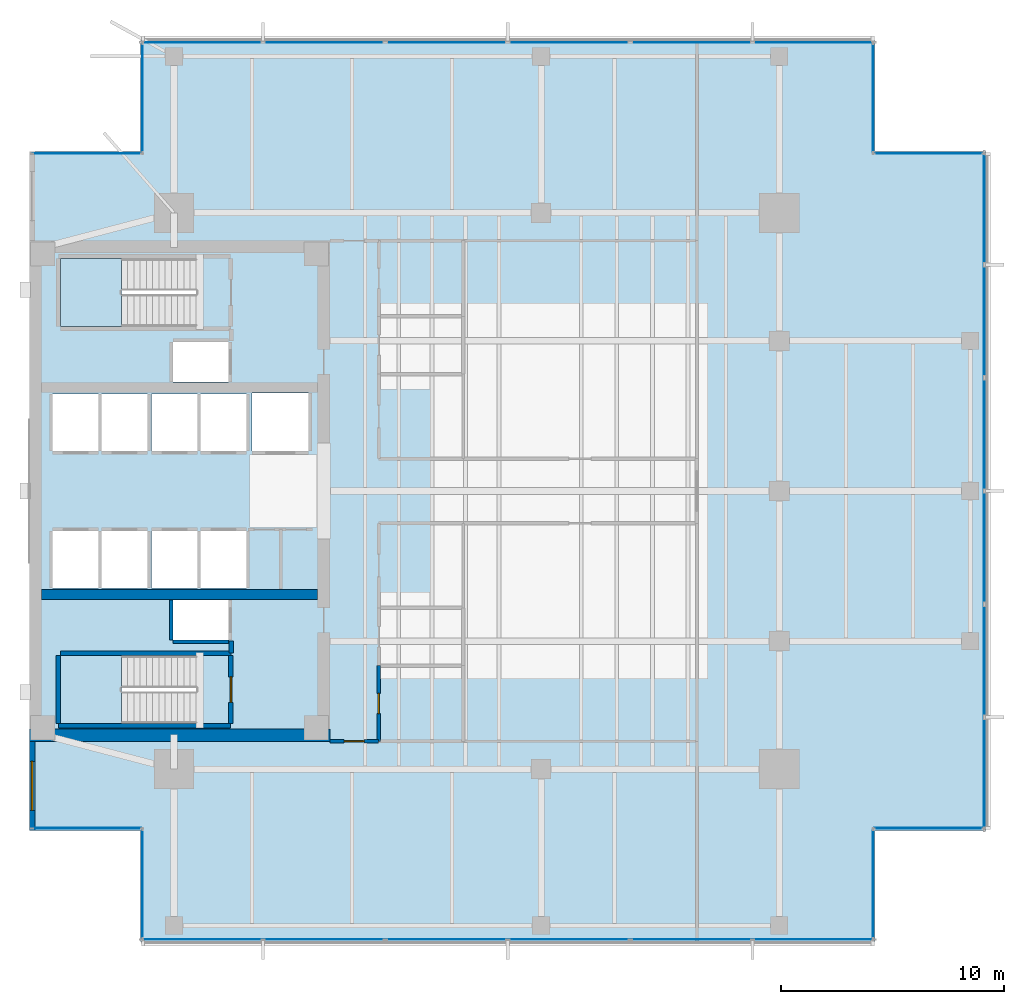
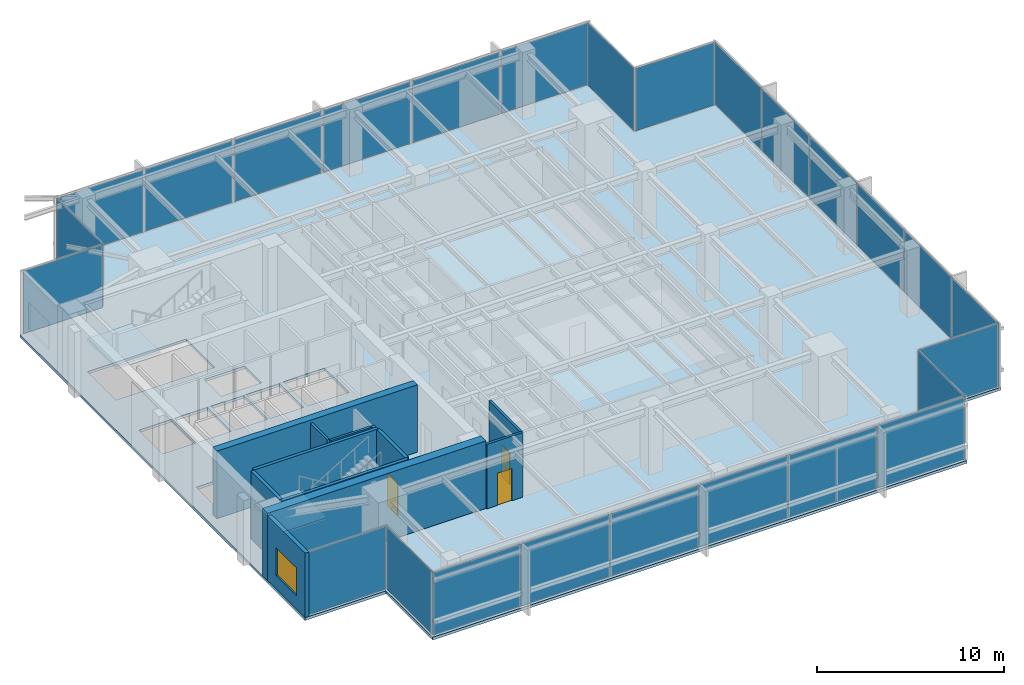
# One storey, part 7 of 14: 26 plates, 12 walls, 3 doors, 3 slabs, 1 window, 4 openings, 13 elements without a shape of their own.
"""IFC4 building model written with IfcOpenShell, lengths in metres."""

from ifc_helpers import new_model, si_unit, direction, frame, frame_2d, origin, origin_2d, place, context, subcontext, project, spatial, polyline, rectangle, outline, extrude, material, layer, layer_set, type_object, element, fill, aggregate, save


model = new_model("IFC4")

# Units and contexts
model_context = context("Model", 3, precision=1e-05, world=origin(), true_north=direction((0.0, 1.0)))
body_context = subcontext(model_context, "Body", "Model", "MODEL_VIEW")
ifc_project = project(units=[si_unit("LENGTHUNIT", "METRE"), si_unit("AREAUNIT", "SQUARE_METRE"), si_unit("VOLUMEUNIT", "CUBIC_METRE"), si_unit("PLANEANGLEUNIT", "RADIAN"), si_unit("MASSUNIT", "GRAM", prefix="KILO")], contexts=[model_context])

# Site, building, storey
site_placement = place(None, origin())
site = spatial("IfcSite", under=ifc_project, at=site_placement, CompositionType="ELEMENT")
building_placement = place(site_placement, origin())
building = spatial("IfcBuilding", under=site, at=building_placement, Name="Kinhvarn Gate Tower", CompositionType="ELEMENT")
storey_placement = place(building_placement, frame((0.0, 0.0, 183.64990234375)))
storey = spatial("IfcBuildingStorey", under=building, at=storey_placement, Name="L48", CompositionType="ELEMENT", Elevation=183.64990234375)

# Curtain wall, plates
ifc_material_1 = material(Name="Anodised aluminium AW-6063", Category="aluminium")
ifc_layer_1 = layer(ifc_material_1, 0.219970703125)
ifc_layer_set_1 = layer_set([ifc_layer_1], Name="Anodised aluminium AW-6063")
curtain_wall_type_1 = type_object("IfcCurtainWallType", Name="CW-SYS-5", PredefinedType="NOTDEFINED", material=ifc_layer_set_1)
curtain_wall_1_placement = place(storey_placement, origin())
curtain_wall_1 = element("IfcCurtainWall", 1, at=curtain_wall_1_placement, inside=storey, type_object=curtain_wall_type_1, Name="Curtain Wall CW5 (L48)", PredefinedType="NOTDEFINED")
ifc_material_2 = material(Name="Clear low-e double glazing", Category="glass")
ifc_layer_2 = layer(ifc_material_2, 0.031982421875)
ifc_layer_set_2 = layer_set([ifc_layer_2], Name="Clear low-e double glazing")
plate_type = type_object("IfcPlateType", Name="CW-PNL-VIS", PredefinedType="CURTAIN_PANEL", material=ifc_layer_set_2)
plate_1_placement = place(storey_placement, frame((12.27001953125, 5.090087890625, 0.080078125), z_axis=(0.0, 0.0, 1.0), x_axis=(1.0, 0.0, 0.0)))
plate_1 = element("IfcPlate", 2, at=plate_1_placement, type_object=plate_type, Name="CW5 panel 1.1", PredefinedType="CURTAIN_PANEL", context=body_context, shape_type="SweptSolid", body=[
    extrude(rectangle(XDim=5.3798828125, YDim=0.031982421875, at=origin_2d()), origin(), (0.0, 0.0, 1.0), 4.06005859375),
])
plate_2_placement = place(storey_placement, frame((17.75, 5.090087890625, 0.080078125), z_axis=(0.0, 0.0, 1.0), x_axis=(1.0, 0.0, 0.0)))
plate_2 = element("IfcPlate", 3, at=plate_2_placement, type_object=plate_type, Name="CW5 panel 2.1", PredefinedType="CURTAIN_PANEL", context=body_context, shape_type="SweptSolid", body=[
    extrude(rectangle(XDim=5.419921875, YDim=0.031982421875, at=origin_2d()), origin(), (0.0, 0.0, 1.0), 4.06005859375),
])
plate_3_placement = place(storey_placement, frame((23.25, 5.090087890625, 0.080078125), z_axis=(0.0, 0.0, 1.0), x_axis=(1.0, 0.0, 0.0)))
plate_3 = element("IfcPlate", 4, at=plate_3_placement, type_object=plate_type, Name="CW5 panel 3.1", PredefinedType="CURTAIN_PANEL", context=body_context, shape_type="SweptSolid", body=[
    extrude(rectangle(XDim=5.419921875, YDim=0.031982421875, at=origin_2d()), origin(), (0.0, 0.0, 1.0), 4.06005859375),
])
plate_4_placement = place(storey_placement, frame((28.75, 5.090087890625, 0.080078125), z_axis=(0.0, 0.0, 1.0), x_axis=(1.0, 0.0, 0.0)))
plate_4 = element("IfcPlate", 5, at=plate_4_placement, type_object=plate_type, Name="CW5 panel 4.1", PredefinedType="CURTAIN_PANEL", context=body_context, shape_type="SweptSolid", body=[
    extrude(rectangle(XDim=5.419921875, YDim=0.031982421875, at=origin_2d()), origin(), (0.0, 0.0, 1.0), 4.06005859375),
])
plate_5_placement = place(storey_placement, frame((34.25, 5.090087890625, 0.080078125), z_axis=(0.0, 0.0, 1.0), x_axis=(1.0, 0.0, 0.0)))
plate_5 = element("IfcPlate", 6, at=plate_5_placement, type_object=plate_type, Name="CW5 panel 5.1", PredefinedType="CURTAIN_PANEL", context=body_context, shape_type="SweptSolid", body=[
    extrude(rectangle(XDim=5.419921875, YDim=0.031982421875, at=origin_2d()), origin(), (0.0, 0.0, 1.0), 4.06005859375),
])
plate_6_placement = place(storey_placement, frame((39.72998046875, 5.090087890625, 0.080078125), z_axis=(0.0, 0.0, 1.0), x_axis=(1.0, 0.0, 0.0)))
plate_6 = element("IfcPlate", 7, at=plate_6_placement, type_object=plate_type, Name="CW5 panel 6.1", PredefinedType="CURTAIN_PANEL", context=body_context, shape_type="SweptSolid", body=[
    extrude(rectangle(XDim=5.3798828125, YDim=0.031982421875, at=origin_2d()), origin(), (0.0, 0.0, 1.0), 4.06005859375),
])
aggregate(curtain_wall_1, [plate_1, plate_2, plate_3, plate_4, plate_5, plate_6])

curtain_wall_2_placement = place(storey_placement, origin())
curtain_wall_2 = element("IfcCurtainWall", 8, at=curtain_wall_2_placement, inside=storey, type_object=curtain_wall_type_1, Name="Curtain Wall CW5 (L48)", PredefinedType="NOTDEFINED")
plate_7_placement = place(storey_placement, frame((39.72998046875, 45.409912109375, 0.080078125), z_axis=(0.0, 0.0, 1.0), x_axis=(-1.0, 0.0, 0.0)))
plate_7 = element("IfcPlate", 9, at=plate_7_placement, type_object=plate_type, Name="CW5 panel 1.1", PredefinedType="CURTAIN_PANEL", context=body_context, shape_type="SweptSolid", body=[
    extrude(rectangle(XDim=5.3798828125, YDim=0.031982421875, at=origin_2d()), origin(), (0.0, 0.0, 1.0), 4.06005859375),
])
plate_8_placement = place(storey_placement, frame((34.25, 45.409912109375, 0.080078125), z_axis=(0.0, 0.0, 1.0), x_axis=(-1.0, 0.0, 0.0)))
plate_8 = element("IfcPlate", 10, at=plate_8_placement, type_object=plate_type, Name="CW5 panel 2.1", PredefinedType="CURTAIN_PANEL", context=body_context, shape_type="SweptSolid", body=[
    extrude(rectangle(XDim=5.419921875, YDim=0.031982421875, at=origin_2d()), origin(), (0.0, 0.0, 1.0), 4.06005859375),
])
plate_9_placement = place(storey_placement, frame((28.75, 45.409912109375, 0.080078125), z_axis=(0.0, 0.0, 1.0), x_axis=(-1.0, 0.0, 0.0)))
plate_9 = element("IfcPlate", 11, at=plate_9_placement, type_object=plate_type, Name="CW5 panel 3.1", PredefinedType="CURTAIN_PANEL", context=body_context, shape_type="SweptSolid", body=[
    extrude(rectangle(XDim=5.419921875, YDim=0.031982421875, at=origin_2d()), origin(), (0.0, 0.0, 1.0), 4.06005859375),
])
plate_10_placement = place(storey_placement, frame((23.25, 45.409912109375, 0.080078125), z_axis=(0.0, 0.0, 1.0), x_axis=(-1.0, 0.0, 0.0)))
plate_10 = element("IfcPlate", 12, at=plate_10_placement, type_object=plate_type, Name="CW5 panel 4.1", PredefinedType="CURTAIN_PANEL", context=body_context, shape_type="SweptSolid", body=[
    extrude(rectangle(XDim=5.419921875, YDim=0.031982421875, at=origin_2d()), origin(), (0.0, 0.0, 1.0), 4.06005859375),
])
plate_11_placement = place(storey_placement, frame((17.75, 45.409912109375, 0.080078125), z_axis=(0.0, 0.0, 1.0), x_axis=(-1.0, 0.0, 0.0)))
plate_11 = element("IfcPlate", 13, at=plate_11_placement, type_object=plate_type, Name="CW5 panel 5.1", PredefinedType="CURTAIN_PANEL", context=body_context, shape_type="SweptSolid", body=[
    extrude(rectangle(XDim=5.419921875, YDim=0.031982421875, at=origin_2d()), origin(), (0.0, 0.0, 1.0), 4.06005859375),
])
plate_12_placement = place(storey_placement, frame((12.27001953125, 45.409912109375, 0.080078125), z_axis=(0.0, 0.0, 1.0), x_axis=(-1.0, 0.0, 0.0)))
plate_12 = element("IfcPlate", 14, at=plate_12_placement, type_object=plate_type, Name="CW5 panel 6.1", PredefinedType="CURTAIN_PANEL", context=body_context, shape_type="SweptSolid", body=[
    extrude(rectangle(XDim=5.3798828125, YDim=0.031982421875, at=origin_2d()), origin(), (0.0, 0.0, 1.0), 4.06005859375),
])
aggregate(curtain_wall_2, [plate_7, plate_8, plate_9, plate_10, plate_11, plate_12])

curtain_wall_3_placement = place(storey_placement, origin())
curtain_wall_3 = element("IfcCurtainWall", 15, at=curtain_wall_3_placement, inside=storey, type_object=curtain_wall_type_1, Name="Curtain Wall CW5 (L48)", PredefinedType="NOTDEFINED")
plate_13_placement = place(storey_placement, frame((47.409912109375, 12.561767578125, 0.080078125), z_axis=(0.0, 0.0, 1.0), x_axis=(0.0, 1.0, 0.0)))
plate_13 = element("IfcPlate", 16, at=plate_13_placement, type_object=plate_type, Name="CW5 panel 1.1", PredefinedType="CURTAIN_PANEL", context=body_context, shape_type="SweptSolid", body=[
    extrude(rectangle(XDim=4.96337890625, YDim=0.031982421875, at=origin_2d()), origin(), (0.0, 0.0, 1.0), 4.06005859375),
])
plate_14_placement = place(storey_placement, frame((47.409912109375, 17.625, 0.080078125), z_axis=(0.0, 0.0, 1.0), x_axis=(0.0, 1.0, 0.0)))
plate_14 = element("IfcPlate", 17, at=plate_14_placement, type_object=plate_type, Name="CW5 panel 2.1", PredefinedType="CURTAIN_PANEL", context=body_context, shape_type="SweptSolid", body=[
    extrude(rectangle(XDim=5.00341796875, YDim=0.031982421875, at=origin_2d()), origin(), (0.0, 0.0, 1.0), 4.06005859375),
])
plate_15_placement = place(storey_placement, frame((47.409912109375, 22.708251953125, 0.080078125), z_axis=(0.0, 0.0, 1.0), x_axis=(0.0, 1.0, 0.0)))
plate_15 = element("IfcPlate", 18, at=plate_15_placement, type_object=plate_type, Name="CW5 panel 3.1", PredefinedType="CURTAIN_PANEL", context=body_context, shape_type="SweptSolid", body=[
    extrude(rectangle(XDim=5.00341796875, YDim=0.031982421875, at=origin_2d()), origin(), (0.0, 0.0, 1.0), 4.06005859375),
])
plate_16_placement = place(storey_placement, frame((47.409912109375, 27.791748046875, 0.080078125), z_axis=(0.0, 0.0, 1.0), x_axis=(0.0, 1.0, 0.0)))
plate_16 = element("IfcPlate", 19, at=plate_16_placement, type_object=plate_type, Name="CW5 panel 4.1", PredefinedType="CURTAIN_PANEL", context=body_context, shape_type="SweptSolid", body=[
    extrude(rectangle(XDim=5.00341796875, YDim=0.031982421875, at=origin_2d()), origin(), (0.0, 0.0, 1.0), 4.06005859375),
])
plate_17_placement = place(storey_placement, frame((47.409912109375, 32.875, 0.080078125), z_axis=(0.0, 0.0, 1.0), x_axis=(0.0, 1.0, 0.0)))
plate_17 = element("IfcPlate", 20, at=plate_17_placement, type_object=plate_type, Name="CW5 panel 5.1", PredefinedType="CURTAIN_PANEL", context=body_context, shape_type="SweptSolid", body=[
    extrude(rectangle(XDim=5.00341796875, YDim=0.031982421875, at=origin_2d()), origin(), (0.0, 0.0, 1.0), 4.06005859375),
])
plate_18_placement = place(storey_placement, frame((47.409912109375, 37.938232421875, 0.080078125), z_axis=(0.0, 0.0, 1.0), x_axis=(0.0, 1.0, 0.0)))
plate_18 = element("IfcPlate", 21, at=plate_18_placement, type_object=plate_type, Name="CW5 panel 6.1", PredefinedType="CURTAIN_PANEL", context=body_context, shape_type="SweptSolid", body=[
    extrude(rectangle(XDim=4.96337890625, YDim=0.031982421875, at=origin_2d()), origin(), (0.0, 0.0, 1.0), 4.06005859375),
])
aggregate(curtain_wall_3, [plate_13, plate_14, plate_15, plate_16, plate_17, plate_18])

# Curtain wall, plate
ifc_layer_3 = layer(ifc_material_1, 0.179931640625)
ifc_layer_set_3 = layer_set([ifc_layer_3], Name="Anodised aluminium AW-6063")
curtain_wall_type_2 = type_object("IfcCurtainWallType", Name="CW-SYS-4", PredefinedType="NOTDEFINED", material=ifc_layer_set_3)
curtain_wall_4_placement = place(storey_placement, origin())
curtain_wall_4 = element("IfcCurtainWall", 22, at=curtain_wall_4_placement, inside=storey, type_object=curtain_wall_type_2, Name="Curtain Wall CW4 (L48)", PredefinedType="NOTDEFINED")
plate_19_placement = place(storey_placement, frame((7.090087890625, 10.090087890625, 0.06494140625), z_axis=(0.0, 0.0, 1.0), x_axis=(1.0, 0.0, 0.0)))
plate_19 = element("IfcPlate", 23, at=plate_19_placement, type_object=plate_type, Name="CW4 panel 1.1", PredefinedType="CURTAIN_PANEL", context=body_context, shape_type="SweptSolid", body=[
    extrude(rectangle(XDim=4.8701171875, YDim=0.031982421875, at=origin_2d()), origin(), (0.0, 0.0, 1.0), 4.090087890625),
])
aggregate(curtain_wall_4, [plate_19])

curtain_wall_5_placement = place(storey_placement, origin())
curtain_wall_5 = element("IfcCurtainWall", 24, at=curtain_wall_5_placement, inside=storey, type_object=curtain_wall_type_2, Name="Curtain Wall CW4 (L48)", PredefinedType="NOTDEFINED")
plate_20_placement = place(storey_placement, frame((9.590087890625, 7.590087890625, 0.06494140625), z_axis=(0.0, 0.0, 1.0), x_axis=(0.0, -1.0, 0.0)))
plate_20 = element("IfcPlate", 25, at=plate_20_placement, type_object=plate_type, Name="CW4 panel 1.1", PredefinedType="CURTAIN_PANEL", context=body_context, shape_type="SweptSolid", body=[
    extrude(rectangle(XDim=4.8701171875, YDim=0.031982421875, at=origin_2d()), origin(), (0.0, 0.0, 1.0), 4.090087890625),
])
aggregate(curtain_wall_5, [plate_20])

curtain_wall_6_placement = place(storey_placement, origin())
curtain_wall_6 = element("IfcCurtainWall", 26, at=curtain_wall_6_placement, inside=storey, type_object=curtain_wall_type_2, Name="Curtain Wall CW4 (L48)", PredefinedType="NOTDEFINED")
plate_21_placement = place(storey_placement, frame((42.409912109375, 7.590087890625, 0.06494140625), z_axis=(0.0, 0.0, 1.0), x_axis=(0.0, 1.0, 0.0)))
plate_21 = element("IfcPlate", 27, at=plate_21_placement, type_object=plate_type, Name="CW4 panel 1.1", PredefinedType="CURTAIN_PANEL", context=body_context, shape_type="SweptSolid", body=[
    extrude(rectangle(XDim=4.8701171875, YDim=0.031982421875, at=origin_2d()), origin(), (0.0, 0.0, 1.0), 4.090087890625),
])
aggregate(curtain_wall_6, [plate_21])

curtain_wall_7_placement = place(storey_placement, origin())
curtain_wall_7 = element("IfcCurtainWall", 28, at=curtain_wall_7_placement, inside=storey, type_object=curtain_wall_type_2, Name="Curtain Wall CW4 (L48)", PredefinedType="NOTDEFINED")
plate_22_placement = place(storey_placement, frame((44.909912109375, 10.090087890625, 0.06494140625), z_axis=(0.0, 0.0, 1.0), x_axis=(1.0, 0.0, 0.0)))
plate_22 = element("IfcPlate", 29, at=plate_22_placement, type_object=plate_type, Name="CW4 panel 1.1", PredefinedType="CURTAIN_PANEL", context=body_context, shape_type="SweptSolid", body=[
    extrude(rectangle(XDim=4.8701171875, YDim=0.031982421875, at=origin_2d()), origin(), (0.0, 0.0, 1.0), 4.090087890625),
])
aggregate(curtain_wall_7, [plate_22])

curtain_wall_8_placement = place(storey_placement, origin())
curtain_wall_8 = element("IfcCurtainWall", 30, at=curtain_wall_8_placement, inside=storey, type_object=curtain_wall_type_2, Name="Curtain Wall CW4 (L48)", PredefinedType="NOTDEFINED")
plate_23_placement = place(storey_placement, frame((44.909912109375, 40.409912109375, 0.06494140625), z_axis=(0.0, 0.0, 1.0), x_axis=(-1.0, 0.0, 0.0)))
plate_23 = element("IfcPlate", 31, at=plate_23_placement, type_object=plate_type, Name="CW4 panel 1.1", PredefinedType="CURTAIN_PANEL", context=body_context, shape_type="SweptSolid", body=[
    extrude(rectangle(XDim=4.8701171875, YDim=0.031982421875, at=origin_2d()), origin(), (0.0, 0.0, 1.0), 4.090087890625),
])
aggregate(curtain_wall_8, [plate_23])

curtain_wall_9_placement = place(storey_placement, origin())
curtain_wall_9 = element("IfcCurtainWall", 32, at=curtain_wall_9_placement, inside=storey, type_object=curtain_wall_type_2, Name="Curtain Wall CW4 (L48)", PredefinedType="NOTDEFINED")
plate_24_placement = place(storey_placement, frame((42.409912109375, 42.909912109375, 0.06494140625), z_axis=(0.0, 0.0, 1.0), x_axis=(0.0, 1.0, 0.0)))
plate_24 = element("IfcPlate", 33, at=plate_24_placement, type_object=plate_type, Name="CW4 panel 1.1", PredefinedType="CURTAIN_PANEL", context=body_context, shape_type="SweptSolid", body=[
    extrude(rectangle(XDim=4.8701171875, YDim=0.031982421875, at=origin_2d()), origin(), (0.0, 0.0, 1.0), 4.090087890625),
])
aggregate(curtain_wall_9, [plate_24])

curtain_wall_10_placement = place(storey_placement, origin())
curtain_wall_10 = element("IfcCurtainWall", 34, at=curtain_wall_10_placement, inside=storey, type_object=curtain_wall_type_2, Name="Curtain Wall CW4 (L48)", PredefinedType="NOTDEFINED")
plate_25_placement = place(storey_placement, frame((9.590087890625, 42.909912109375, 0.06494140625), z_axis=(0.0, 0.0, 1.0), x_axis=(0.0, -1.0, 0.0)))
plate_25 = element("IfcPlate", 35, at=plate_25_placement, type_object=plate_type, Name="CW4 panel 1.1", PredefinedType="CURTAIN_PANEL", context=body_context, shape_type="SweptSolid", body=[
    extrude(rectangle(XDim=4.8701171875, YDim=0.031982421875, at=origin_2d()), origin(), (0.0, 0.0, 1.0), 4.090087890625),
])
aggregate(curtain_wall_10, [plate_25])

curtain_wall_11_placement = place(storey_placement, origin())
curtain_wall_11 = element("IfcCurtainWall", 36, at=curtain_wall_11_placement, inside=storey, type_object=curtain_wall_type_2, Name="Curtain Wall CW4 (L48)", PredefinedType="NOTDEFINED")
plate_26_placement = place(storey_placement, frame((7.090087890625, 40.409912109375, 0.06494140625), z_axis=(0.0, 0.0, 1.0), x_axis=(-1.0, 0.0, 0.0)))
plate_26 = element("IfcPlate", 37, at=plate_26_placement, type_object=plate_type, Name="CW4 panel 1.1", PredefinedType="CURTAIN_PANEL", context=body_context, shape_type="SweptSolid", body=[
    extrude(rectangle(XDim=4.8701171875, YDim=0.031982421875, at=origin_2d()), origin(), (0.0, 0.0, 1.0), 4.090087890625),
])
aggregate(curtain_wall_11, [plate_26])

# Slab
ifc_material_3 = material(Name="Concrete C40/50", Category="concrete")
ifc_layer_4 = layer(ifc_material_3, 0.179931640625)
ifc_layer_set_4 = layer_set([ifc_layer_4], Name="Concrete C40/50")
slab_type_1 = type_object("IfcSlabType", Name="SLB-FLR-180", PredefinedType="FLOOR", material=ifc_layer_set_4)
slab_1_placement = place(storey_placement, frame((0.0, 0.0, -0.179931640625)))
element("IfcSlab", 38, at=slab_1_placement, inside=storey, type_object=slab_type_1, Name="Suspended Floor Slab L48", PredefinedType="FLOOR", context=body_context, shape_type="SweptSolid", body=[
    extrude(outline(polyline([(9.5, 5.0), (42.5, 5.0), (42.5, 10.0), (47.5, 10.0), (47.5, 40.5), (42.5, 40.5), (42.5, 45.5), (9.5, 45.5), (9.5, 40.5), (4.5, 40.5), (4.5, 10.0), (9.5, 10.0), (9.5, 5.0)]), holes=[polyline([(5.89990234375, 14.800048828125), (12.0, 14.800048828125), (12.0, 17.85009765625), (5.89990234375, 17.85009765625), (5.89990234375, 14.800048828125)]), polyline([(5.89990234375, 32.64990234375), (12.0, 32.64990234375), (12.0, 35.699951171875), (5.89990234375, 35.699951171875), (5.89990234375, 32.64990234375)]), polyline([(5.550048828125, 20.89990234375), (7.60009765625, 20.89990234375), (7.60009765625, 23.449951171875), (5.550048828125, 23.449951171875), (5.550048828125, 20.89990234375)]), polyline([(7.75, 20.89990234375), (9.800048828125, 20.89990234375), (9.800048828125, 23.449951171875), (7.75, 23.449951171875), (7.75, 20.89990234375)]), polyline([(5.550048828125, 27.050048828125), (7.60009765625, 27.050048828125), (7.60009765625, 29.60009765625), (5.550048828125, 29.60009765625), (5.550048828125, 27.050048828125)]), polyline([(7.75, 27.050048828125), (9.800048828125, 27.050048828125), (9.800048828125, 29.60009765625), (7.75, 29.60009765625), (7.75, 27.050048828125)]), polyline([(10.0, 20.89990234375), (12.050048828125, 20.89990234375), (12.050048828125, 23.449951171875), (10.0, 23.449951171875), (10.0, 20.89990234375)]), polyline([(12.199951171875, 20.89990234375), (14.25, 20.89990234375), (14.25, 23.449951171875), (12.199951171875, 23.449951171875), (12.199951171875, 20.89990234375)]), polyline([(10.0, 27.050048828125), (12.050048828125, 27.050048828125), (12.050048828125, 29.60009765625), (10.0, 29.60009765625), (10.0, 27.050048828125)]), polyline([(12.199951171875, 27.050048828125), (14.25, 27.050048828125), (14.25, 29.60009765625), (12.199951171875, 29.60009765625), (12.199951171875, 27.050048828125)]), polyline([(14.5, 27.050048828125), (17.050048828125, 27.050048828125), (17.050048828125, 29.64990234375), (14.5, 29.64990234375), (14.5, 27.050048828125)]), polyline([(10.949951171875, 18.550048828125), (13.449951171875, 18.550048828125), (13.449951171875, 20.35009765625), (10.949951171875, 20.35009765625), (10.949951171875, 18.550048828125)]), polyline([(10.949951171875, 30.14990234375), (13.449951171875, 30.14990234375), (13.449951171875, 31.949951171875), (10.949951171875, 31.949951171875), (10.949951171875, 30.14990234375)])]), origin(), (0.0, 0.0, 1.0), 0.179931640625),
])

# Stair, slab
stair_type = type_object("IfcStairType", Name="STR-DLG-169", PredefinedType="HALF_TURN_STAIR", material=ifc_material_3)
stair_1_placement = place(storey_placement, origin())
stair_1 = element("IfcStair", 39, at=stair_1_placement, inside=storey, type_object=stair_type, Name="L48 Core Smokeproof Exit Stair ST1", PredefinedType="HALF_TURN_STAIR")
ifc_layer_5 = layer(ifc_material_3, 0.199951171875)
ifc_layer_set_5 = layer_set([ifc_layer_5], Name="Concrete C40/50")
slab_type_2 = type_object("IfcSlabType", Name="SLB-ST-LND", PredefinedType="LANDING", material=ifc_layer_set_5)
slab_2_placement = place(storey_placement, frame((0.0, 0.0, 2.0)))
slab_2 = element("IfcSlab", 40, at=slab_2_placement, type_object=slab_type_2, Name="ST1 landing 1", PredefinedType="LANDING", context=body_context, shape_type="SweptSolid", body=[
    extrude(outline(polyline([(8.639892578125, 17.85009765625), (5.89990234375, 17.85009765625), (5.89990234375, 14.800048828125), (8.639892578125, 14.800048828125), (8.639892578125, 17.85009765625)])), origin(), (0.0, 0.0, 1.0), 0.2001953125),
])
aggregate(stair_1, [slab_2])

stair_2_placement = place(storey_placement, origin())
stair_2 = element("IfcStair", 41, at=stair_2_placement, inside=storey, type_object=stair_type, Name="L48 Core Smokeproof Exit Stair ST2", PredefinedType="HALF_TURN_STAIR")
slab_3_placement = place(storey_placement, frame((0.0, 0.0, 2.0)))
slab_3 = element("IfcSlab", 42, at=slab_3_placement, type_object=slab_type_2, Name="ST2 landing 1", PredefinedType="LANDING", context=body_context, shape_type="SweptSolid", body=[
    extrude(outline(polyline([(8.639892578125, 35.699951171875), (5.89990234375, 35.699951171875), (5.89990234375, 32.64990234375), (8.639892578125, 32.64990234375), (8.639892578125, 35.699951171875)])), origin(), (0.0, 0.0, 1.0), 0.2001953125),
])
aggregate(stair_2, [slab_3])

# Walls
ifc_material_4 = material(Name="Concrete C50/60", Category="concrete")
ifc_layer_6 = layer(ifc_material_4, 0.449951171875)
ifc_layer_set_6 = layer_set([ifc_layer_6], Name="Concrete C50/60")
wall_type_1 = type_object("IfcWallType", Name="WL-CORE-450", PredefinedType="SHEAR", material=ifc_layer_set_6)
wall_1_placement = place(storey_placement, frame((5.050048828125, 20.60009765625, 0.0), z_axis=(0.0, 0.0, 1.0), x_axis=(1.0, 0.0, 0.0)))
element("IfcWall", 43, at=wall_1_placement, inside=storey, type_object=wall_type_1, Name="Core South Spine Shear Wall L48 450 mm", PredefinedType="SHEAR", context=body_context, shape_type="SweptSolid", body=[
    extrude(rectangle(XDim=12.39990234375, YDim=0.449951171875, at=frame_2d((6.199951171875, 0.0))), origin(), (0.0, 0.0, 1.0), 4.400146484375),
])
ifc_material_5 = material(Name="Concrete C60/75", Category="concrete")
ifc_layer_7 = layer(ifc_material_5, 0.550048828125)
ifc_layer_set_7 = layer_set([ifc_layer_7], Name="Concrete C60/75")
wall_type_2 = type_object("IfcWallType", Name="WL-CORE-550", PredefinedType="SHEAR", material=ifc_layer_set_7)
wall_2_placement = place(storey_placement, frame((4.5, 14.27490234375, 0.0), z_axis=(0.0, 0.0, 1.0), x_axis=(1.0, 0.0, 0.0)))
element("IfcWall", 44, at=wall_2_placement, inside=storey, type_object=wall_type_2, Name="Core South Shear Wall L48 550 mm", PredefinedType="SHEAR", context=body_context, shape_type="SweptSolid", body=[
    extrude(rectangle(XDim=13.5, YDim=0.550048828125, at=frame_2d((6.75, 0.0))), origin(), (0.0, 0.0, 1.0), 4.400146484375),
])

# Wall, opening, window
ifc_material_6 = material(Name="Fired architectural terracotta", Category="masonry")
ifc_layer_8 = layer(ifc_material_6, 0.25)
ifc_layer_set_8 = layer_set([ifc_layer_8], Name="Fired architectural terracotta")
wall_type_3 = type_object("IfcWallType", Name="WL-EXT-250", PredefinedType="SOLIDWALL", material=ifc_layer_set_8)
wall_3_placement = place(storey_placement, frame((4.625, 14.0, 0.0), z_axis=(0.0, 0.0, 1.0), x_axis=(0.0, -1.0, 0.0)))
wall_3 = element("IfcWall", 45, at=wall_3_placement, inside=storey, type_object=wall_type_3, Name="Exterior Solidwall Wall EW-250 (L48 West-South)", PredefinedType="SOLIDWALL", context=body_context, shape_type="SweptSolid", body=[
    extrude(rectangle(XDim=4.0, YDim=0.25, at=frame_2d((2.0, 0.0))), origin(), (0.0, 0.0, 1.0), 4.22021484375),
])
opening_1_placement = place(wall_3_placement, frame((0.89990234375, 0.0, 0.89990234375)))
opening_1 = element("IfcOpeningElement", 46, at=opening_1_placement, cuts=wall_3, Name="Opening WN-01", PredefinedType="OPENING", context=body_context, shape_type="SweptSolid", body=[
    extrude(rectangle(XDim=2.199951171875, YDim=1.800048828125, at=frame_2d((1.10009765625, 0.89990234375))), frame((0.0, 0.135009765625, 0.0), z_axis=(0.0, -1.0, 0.0), x_axis=(1.0, 0.0, 0.0)), (0.0, 0.0, 1.0), 0.27001953125),
])
window_type = type_object("IfcWindowType", Name="WIN-RIB-2200", PartitioningType="SINGLE_PANEL", PredefinedType="WINDOW", material=ifc_material_2)
window_placement = place(opening_1_placement, origin())
window = element("IfcWindow", 47, at=window_placement, inside=storey, type_object=window_type, Name="West Flank Double-Glazed Ribbon Window 2200x1800 mm (L48)", OverallHeight=1.800048828125, OverallWidth=2.199951171875, PartitioningType="SINGLE_PANEL", PredefinedType="WINDOW", context=body_context, shape_type="SweptSolid", body=[
    extrude(rectangle(XDim=2.199951171875, YDim=1.800048828125, at=frame_2d((1.10009765625, 0.89990234375))), frame((0.0, 0.030029296875, 0.0), z_axis=(0.0, -1.0, 0.0), x_axis=(1.0, 0.0, 0.0)), (0.0, 0.0, 1.0), 0.06005859375),
])
fill(opening_1, window)

# Wall, opening, door
ifc_material_7 = material(Name="Gypsum acoustic partition board")
ifc_layer_9 = layer(ifc_material_7, 0.14990234375)
ifc_layer_set_9 = layer_set([ifc_layer_9], Name="Gypsum acoustic partition board")
wall_type_4 = type_object("IfcWallType", Name="WL-PLM-150F", PredefinedType="PLUMBINGWALL", material=ifc_layer_set_9)
wall_4_placement = place(storey_placement, frame((20.199951171875, 14.0, 0.0), z_axis=(0.0, 0.0, 1.0), x_axis=(0.0, 1.0, 0.0)))
wall_4 = element("IfcWall", 48, at=wall_4_placement, inside=storey, type_object=wall_type_4, Name="Interior Partition PLW-150F (L48)", PredefinedType="PLUMBINGWALL", context=body_context, shape_type="SweptSolid", body=[
    extrude(rectangle(XDim=3.39990234375, YDim=0.14990234375, at=frame_2d((1.699951171875, 0.0))), origin(), (0.0, 0.0, 1.0), 4.22021484375),
])
opening_2_placement = place(wall_4_placement, frame((1.25, 0.0, 0.0)))
opening_2 = element("IfcOpeningElement", 49, at=opening_2_placement, cuts=wall_4, Name="Opening FD-04", PredefinedType="OPENING", context=body_context, shape_type="SweptSolid", body=[
    extrude(rectangle(XDim=0.89990234375, YDim=2.10009765625, at=frame_2d((0.449951171875, 1.050048828125))), frame((0.0, 0.0849609375, 0.0), z_axis=(0.0, -1.0, 0.0), x_axis=(1.0, 0.0, 0.0)), (0.0, 0.0, 1.0), 0.169921875),
])
door_type_1 = type_object("IfcDoorType", Name="DR-FD-900", OperationType="NOTDEFINED", PredefinedType="DOOR", material=ifc_material_1)
door_1_placement = place(opening_2_placement, origin())
door_1 = element("IfcDoor", 50, at=door_1_placement, inside=storey, type_object=door_type_1, Name="Rated Riser & Service Closet Fire Door 900x2100 mm (L48)", OperationType="SINGLE_SWING_LEFT", OverallHeight=2.10009765625, OverallWidth=0.89990234375, PredefinedType="DOOR", context=body_context, shape_type="SweptSolid", body=[
    extrude(rectangle(XDim=0.89990234375, YDim=2.10009765625, at=frame_2d((0.449951171875, 1.050048828125))), frame((0.0, 0.02490234375, 0.0), z_axis=(0.0, -1.0, 0.0), x_axis=(1.0, 0.0, 0.0)), (0.0, 0.0, 1.0), 0.050048828125),
])
fill(opening_2, door_1)

ifc_layer_10 = layer(ifc_material_7, 0.14990234375)
ifc_layer_set_10 = layer_set([ifc_layer_10], Name="Gypsum acoustic partition board")
wall_type_5 = type_object("IfcWallType", Name="WL-PRT-150F", PredefinedType="PARTITIONING", material=ifc_layer_set_10)
wall_5_placement = place(storey_placement, frame((18.0, 14.0, 0.0), z_axis=(0.0, 0.0, 1.0), x_axis=(1.0, 0.0, 0.0)))
wall_5 = element("IfcWall", 51, at=wall_5_placement, inside=storey, type_object=wall_type_5, Name="Interior Partition PW-150F (L48)", PredefinedType="PARTITIONING", context=body_context, shape_type="SweptSolid", body=[
    extrude(rectangle(XDim=2.199951171875, YDim=0.14990234375, at=frame_2d((1.10009765625, 0.0))), origin(), (0.0, 0.0, 1.0), 4.22021484375),
])
opening_3_placement = place(wall_5_placement, frame((0.64990234375, 0.0, 0.0)))
opening_3 = element("IfcOpeningElement", 52, at=opening_3_placement, cuts=wall_5, Name="Opening ID-03", PredefinedType="OPENING", context=body_context, shape_type="SweptSolid", body=[
    extrude(rectangle(XDim=0.89990234375, YDim=2.10009765625, at=frame_2d((0.449951171875, 1.050048828125))), frame((0.0, 0.0849609375, 0.0), z_axis=(0.0, -1.0, 0.0), x_axis=(1.0, 0.0, 0.0)), (0.0, 0.0, 1.0), 0.169921875),
])
door_type_2 = type_object("IfcDoorType", Name="DR-INT-900", OperationType="NOTDEFINED", PredefinedType="DOOR", material=ifc_material_1)
door_2_placement = place(opening_3_placement, origin())
door_2 = element("IfcDoor", 53, at=door_2_placement, inside=storey, type_object=door_type_2, Name="Cellular Office & Restroom Door 900x2100 mm (L48)", OperationType="SINGLE_SWING_LEFT", OverallHeight=2.10009765625, OverallWidth=0.89990234375, PredefinedType="DOOR", context=body_context, shape_type="SweptSolid", body=[
    extrude(rectangle(XDim=0.89990234375, YDim=2.10009765625, at=frame_2d((0.449951171875, 1.050048828125))), frame((0.0, 0.02490234375, 0.0), z_axis=(0.0, -1.0, 0.0), x_axis=(1.0, 0.0, 0.0)), (0.0, 0.0, 1.0), 0.050048828125),
])
fill(opening_3, door_2)

# Walls
ifc_layer_11 = layer(ifc_material_7, 0.199951171875)
ifc_layer_set_11 = layer_set([ifc_layer_11], Name="Gypsum acoustic partition board")
wall_type_6 = type_object("IfcWallType", Name="WL-PRT-200", PredefinedType="PARTITIONING", material=ifc_layer_set_11)
wall_6_placement = place(storey_placement, frame((13.580078125, 17.9599609375, 0.0), z_axis=(0.0, 0.0, 1.0), x_axis=(0.0, 1.0, 0.0)))
element("IfcWall", 54, at=wall_6_placement, inside=storey, type_object=wall_type_6, Name="Interior Partition PW-200 (L48)", PredefinedType="PARTITIONING", context=body_context, shape_type="SweptSolid", body=[
    extrude(rectangle(XDim=0.5400390625, YDim=0.199951171875, at=frame_2d((0.27001953125, 0.0))), origin(), (0.0, 0.0, 1.0), 4.22021484375),
])
ifc_layer_12 = layer(ifc_material_7, 0.14990234375)
ifc_layer_set_12 = layer_set([ifc_layer_12], Name="Gypsum acoustic partition board")
wall_type_7 = type_object("IfcWallType", Name="WL-SHF-150", PredefinedType="PARTITIONING", material=ifc_layer_set_12)
wall_7_placement = place(storey_placement, frame((10.949951171875, 18.47509765625, 0.0), z_axis=(0.0, 0.0, 1.0), x_axis=(1.0, 0.0, 0.0)))
element("IfcWall", 55, at=wall_7_placement, inside=storey, type_object=wall_type_7, Name="Elevator FF1 Hoistway Wall S (L48)", PredefinedType="PARTITIONING", context=body_context, shape_type="SweptSolid", body=[
    extrude(rectangle(XDim=2.5, YDim=0.14990234375, at=frame_2d((1.25, 0.0))), origin(), (0.0, 0.0, 1.0), 4.22021484375),
])
wall_8_placement = place(storey_placement, frame((10.875, 18.550048828125, 0.0), z_axis=(0.0, 0.0, 1.0), x_axis=(0.0, 1.0, 0.0)))
element("IfcWall", 56, at=wall_8_placement, inside=storey, type_object=wall_type_7, Name="Elevator FF1 Hoistway Wall W (L48)", PredefinedType="PARTITIONING", context=body_context, shape_type="SweptSolid", body=[
    extrude(rectangle(XDim=1.800048828125, YDim=0.14990234375, at=frame_2d((0.89990234375, 0.0))), origin(), (0.0, 0.0, 1.0), 4.22021484375),
])
ifc_layer_13 = layer(ifc_material_3, 0.199951171875)
ifc_layer_set_13 = layer_set([ifc_layer_13], Name="Concrete C40/50")
wall_type_8 = type_object("IfcWallType", Name="WL-SHF-200", PredefinedType="SOLIDWALL", material=ifc_layer_set_13)
wall_9_placement = place(storey_placement, frame((5.800048828125, 14.699951171875, 0.0), z_axis=(0.0, 0.0, 1.0), x_axis=(1.0, 0.0, 0.0)))
element("IfcWall", 57, at=wall_9_placement, inside=storey, type_object=wall_type_8, Name="Stair ST1 South Shaft Wall (L48)", PredefinedType="SOLIDWALL", context=body_context, shape_type="SweptSolid", body=[
    extrude(rectangle(XDim=7.75, YDim=0.199951171875, at=frame_2d((3.875, 0.0))), origin(), (0.0, 0.0, 1.0), 4.400146484375),
])
wall_10_placement = place(storey_placement, frame((5.7900390625, 14.800048828125, 0.0), z_axis=(0.0, 0.0, 1.0), x_axis=(0.0, 1.0, 0.0)))
element("IfcWall", 58, at=wall_10_placement, inside=storey, type_object=wall_type_8, Name="Stair ST1 West Shaft Wall (L48)", PredefinedType="SOLIDWALL", context=body_context, shape_type="SweptSolid", body=[
    extrude(rectangle(XDim=3.050048828125, YDim=0.199951171875, at=frame_2d((1.52490234375, 0.0))), origin(), (0.0, 0.0, 1.0), 4.400146484375),
])
wall_11_placement = place(storey_placement, frame((5.89990234375, 17.9599609375, 0.0), z_axis=(0.0, 0.0, 1.0), x_axis=(1.0, 0.0, 0.0)))
element("IfcWall", 59, at=wall_11_placement, inside=storey, type_object=wall_type_8, Name="Stair ST1 North Shaft Wall (L48)", PredefinedType="SOLIDWALL", context=body_context, shape_type="SweptSolid", body=[
    extrude(rectangle(XDim=7.66015625, YDim=0.199951171875, at=frame_2d((3.830078125, 0.0))), origin(), (0.0, 0.0, 1.0), 4.400146484375),
])

# Wall, opening, door
wall_12_placement = place(storey_placement, frame((13.56005859375, 14.800048828125, 0.0), z_axis=(0.0, 0.0, 1.0), x_axis=(0.0, 1.0, 0.0)))
wall_12 = element("IfcWall", 60, at=wall_12_placement, inside=storey, type_object=wall_type_8, Name="Stair ST1 East Entry Wall (L48)", PredefinedType="SOLIDWALL", context=body_context, shape_type="SweptSolid", body=[
    extrude(rectangle(XDim=3.050048828125, YDim=0.199951171875, at=frame_2d((1.52490234375, 0.0))), origin(), (0.0, 0.0, 1.0), 4.400146484375),
])
opening_4_placement = place(wall_12_placement, frame((0.949951171875, 0.0, 0.0)))
opening_4 = element("IfcOpeningElement", 61, at=opening_4_placement, cuts=wall_12, Name="Opening FD-01", PredefinedType="OPENING", context=body_context, shape_type="SweptSolid", body=[
    extrude(rectangle(XDim=1.14990234375, YDim=2.14990234375, at=frame_2d((0.574951171875, 1.074951171875))), frame((0.0, 0.10986328125, 0.0), z_axis=(0.0, -1.0, 0.0), x_axis=(1.0, 0.0, 0.0)), (0.0, 0.0, 1.0), 0.219970703125),
])
door_type_3 = type_object("IfcDoorType", Name="DR-ST-1150", OperationType="NOTDEFINED", PredefinedType="DOOR", material=ifc_material_1)
door_3_placement = place(opening_4_placement, origin())
door_3 = element("IfcDoor", 62, at=door_3_placement, inside=storey, type_object=door_type_3, Name="Exit Stair ST1 Fire Door (L48)", OperationType="SINGLE_SWING_RIGHT", OverallHeight=2.14990234375, OverallWidth=1.14990234375, PredefinedType="DOOR", context=body_context, shape_type="SweptSolid", body=[
    extrude(rectangle(XDim=1.14990234375, YDim=2.14990234375, at=frame_2d((0.574951171875, 1.074951171875))), frame((0.0, 0.02490234375, 0.0), z_axis=(0.0, -1.0, 0.0), x_axis=(1.0, 0.0, 0.0)), (0.0, 0.0, 1.0), 0.050048828125),
])
fill(opening_4, door_3)

save(model, "model.ifc")
